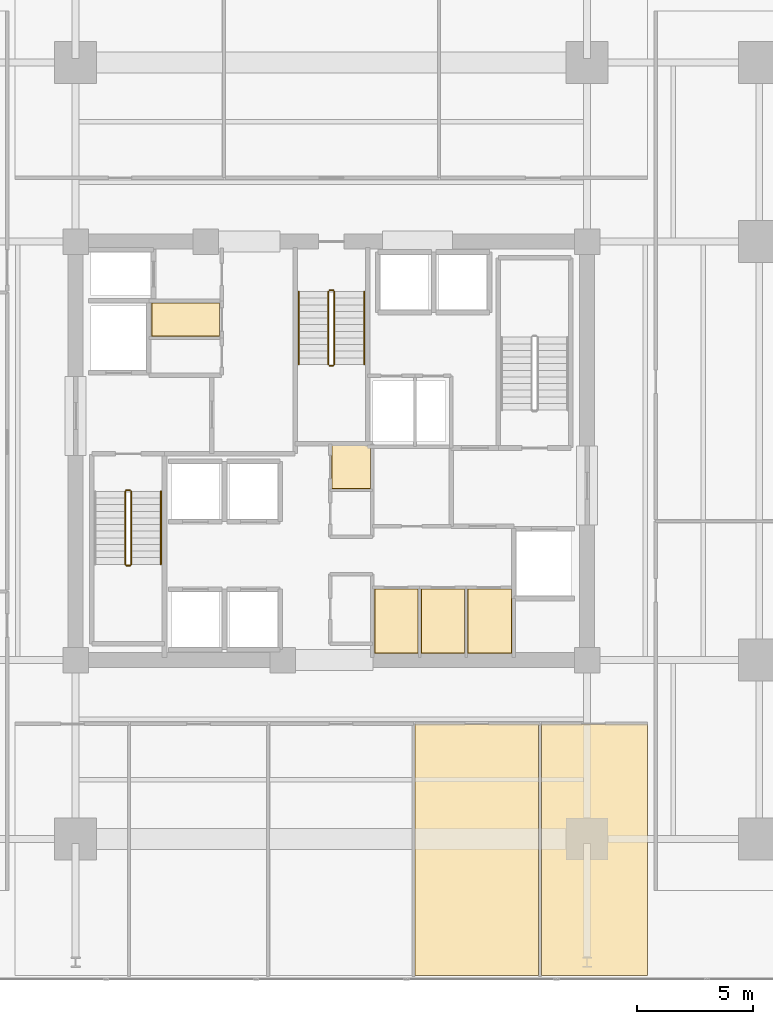
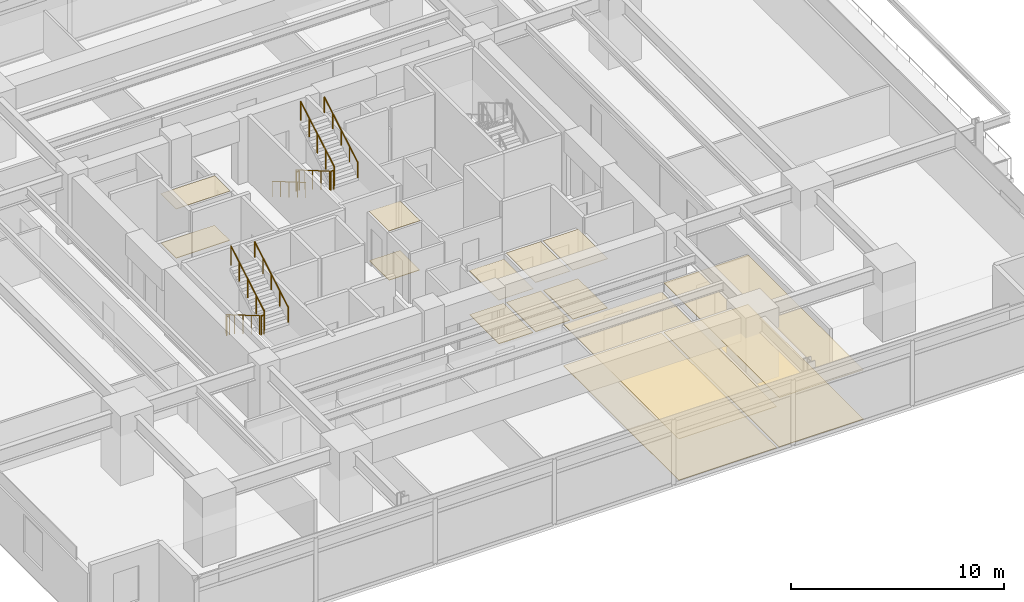
# One storey, part 20 of 22: 14 coverings, 11 railings.
"""IFC4 building model written with IfcOpenShell, lengths in metres."""

from ifc_helpers import new_model, si_unit, direction, frame, origin, origin_2d, place, context, subcontext, project, spatial, polyline, circle, outline, extrude, material, layer, layer_set, type_object, element, save


model = new_model("IFC4")

# Units and contexts
model_context = context("Model", 3, precision=1e-05, world=origin(), true_north=direction((0.0, 1.0)))
body_context = subcontext(model_context, "Body", "Model", "MODEL_VIEW")
ifc_project = project(units=[si_unit("LENGTHUNIT", "METRE"), si_unit("AREAUNIT", "SQUARE_METRE"), si_unit("VOLUMEUNIT", "CUBIC_METRE"), si_unit("PLANEANGLEUNIT", "RADIAN"), si_unit("MASSUNIT", "GRAM", prefix="KILO")], contexts=[model_context])

# Site, building, storey
site_placement = place(None, origin())
site = spatial("IfcSite", under=ifc_project, at=site_placement, CompositionType="ELEMENT")
building_placement = place(site_placement, origin())
building = spatial("IfcBuilding", under=site, at=building_placement, Name="Kovane Verandah Tower", CompositionType="ELEMENT")
storey_placement = place(building_placement, frame((0.0, 0.0, 99.60009765625)))
storey = spatial("IfcBuildingStorey", under=building, at=storey_placement, Name="L23", CompositionType="ELEMENT", Elevation=99.60009765625)

# Coverings
ifc_material_1 = material(Name="Perforated Acoustic Mineral-Fibre Ceiling Tile", Category="gypsum")
ifc_layer_1 = layer(ifc_material_1, 0.02490234375)
ifc_layer_set_1 = layer_set([ifc_layer_1], Name="Perforated Acoustic Mineral-Fibre Ceiling Tile")
covering_type_1 = type_object("IfcCoveringType", Name="CV-CEIL-25", PredefinedType="CEILING", material=ifc_layer_set_1)
covering_1_placement = place(storey_placement, frame((0.0, 0.0, 2.514892578125)))
element("IfcCovering", 1, at=covering_1_placement, inside=storey, type_object=covering_type_1, Name="L23 Mail and Copy Room Acoustic Ceiling", PredefinedType="CEILING", context=body_context, shape_type="SweptSolid", body=[
    extrude(outline(polyline([(41.864990234375, 18.784912109375), (43.735107421875, 18.784912109375), (43.735107421875, 21.56494140625), (41.864990234375, 21.56494140625), (41.864990234375, 18.784912109375)])), origin(), (0.0, 0.0, 1.0), 0.02490234375),
])
covering_2_placement = place(storey_placement, frame((0.0, 0.0, 2.824951171875)))
element("IfcCovering", 2, at=covering_2_placement, inside=storey, type_object=covering_type_1, Name="L23 First Aid Room Acoustic Ceiling", PredefinedType="CEILING", context=body_context, shape_type="SweptSolid", body=[
    extrude(outline(polyline([(43.864990234375, 18.784912109375), (45.735107421875, 18.784912109375), (45.735107421875, 21.56494140625), (43.864990234375, 21.56494140625), (43.864990234375, 18.784912109375)])), origin(), (0.0, 0.0, 1.0), 0.02490234375),
])
covering_3_placement = place(storey_placement, frame((0.0, 0.0, 2.824951171875)))
element("IfcCovering", 3, at=covering_3_placement, inside=storey, type_object=covering_type_1, Name="L23 Quiet Wellness Room Acoustic Ceiling", PredefinedType="CEILING", context=body_context, shape_type="SweptSolid", body=[
    extrude(outline(polyline([(45.864990234375, 18.784912109375), (47.764892578125, 18.784912109375), (47.764892578125, 21.56494140625), (45.864990234375, 21.56494140625), (45.864990234375, 18.784912109375)])), origin(), (0.0, 0.0, 1.0), 0.02490234375),
])
covering_4_placement = place(storey_placement, frame((0.0, 0.0, 2.824951171875)))
element("IfcCovering", 4, at=covering_4_placement, inside=storey, type_object=covering_type_1, Name="L23 North-West First Aid Room Acoustic Ceiling", PredefinedType="CEILING", context=body_context, shape_type="SweptSolid", body=[
    extrude(outline(polyline([(32.264892578125, 32.4150390625), (35.195068359375, 32.4150390625), (35.195068359375, 33.864990234375), (32.264892578125, 33.864990234375), (32.264892578125, 32.4150390625)])), origin(), (0.0, 0.0, 1.0), 0.02490234375),
])
covering_5_placement = place(storey_placement, frame((0.0, 0.0, 2.824951171875)))
element("IfcCovering", 5, at=covering_5_placement, inside=storey, type_object=covering_type_1, Name="L23 Central First Aid and Wellness Room Acoustic Ceiling", PredefinedType="CEILING", context=body_context, shape_type="SweptSolid", body=[
    extrude(outline(polyline([(40.0048828125, 25.864990234375), (41.695068359375, 25.864990234375), (41.695068359375, 27.735107421875), (40.0048828125, 27.735107421875), (40.0048828125, 25.864990234375)])), origin(), (0.0, 0.0, 1.0), 0.02490234375),
])
covering_6_placement = place(storey_placement, frame((0.0, 0.0, 2.364990234375)))
element("IfcCovering", 6, at=covering_6_placement, inside=storey, type_object=covering_type_1, Name="L23 Collaboration Hub S4 Acoustic Ceiling", PredefinedType="CEILING", context=body_context, shape_type="SweptSolid", body=[
    extrude(outline(polyline([(43.60595703125, 4.930908203125), (48.906005859375, 4.930908203125), (48.906005859375, 15.75), (43.60595703125, 15.75), (43.60595703125, 4.930908203125)])), origin(), (0.0, 0.0, 1.0), 0.02490234375),
])
covering_7_placement = place(storey_placement, frame((0.0, 0.0, 2.824951171875)))
element("IfcCovering", 7, at=covering_7_placement, inside=storey, type_object=covering_type_1, Name="L23 Document and Print Room S5 Acoustic Ceiling", PredefinedType="CEILING", context=body_context, shape_type="SweptSolid", body=[
    extrude(outline(polyline([(49.0458984375, 4.930908203125), (53.60009765625, 4.930908203125), (53.60009765625, 15.75), (49.0458984375, 15.75), (49.0458984375, 4.930908203125)])), origin(), (0.0, 0.0, 1.0), 0.02490234375),
])
ifc_material_2 = material(Name="Polished Terrazzo and Raised-Access Carpet Tile Finish", Category="concrete")
ifc_layer_2 = layer(ifc_material_2, 0.030029296875)
ifc_layer_set_2 = layer_set([ifc_layer_2], Name="Polished Terrazzo and Raised-Access Carpet Tile Finish")
covering_type_2 = type_object("IfcCoveringType", Name="CV-FLOR-30", PredefinedType="FLOORING", material=ifc_layer_set_2)
covering_8_placement = place(storey_placement, origin())
element("IfcCovering", 8, at=covering_8_placement, inside=storey, type_object=covering_type_2, Name="L23 Mail and Copy Room Floor Finish", PredefinedType="FLOORING", context=body_context, shape_type="SweptSolid", body=[
    extrude(outline(polyline([(41.8798828125, 18.800048828125), (43.719970703125, 18.800048828125), (43.719970703125, 21.550048828125), (41.8798828125, 21.550048828125), (41.8798828125, 18.800048828125)])), origin(), (0.0, 0.0, 1.0), 0.02978515625),
])
covering_9_placement = place(storey_placement, origin())
element("IfcCovering", 9, at=covering_9_placement, inside=storey, type_object=covering_type_2, Name="L23 First Aid Room Floor Finish", PredefinedType="FLOORING", context=body_context, shape_type="SweptSolid", body=[
    extrude(outline(polyline([(43.8798828125, 18.800048828125), (45.719970703125, 18.800048828125), (45.719970703125, 21.550048828125), (43.8798828125, 21.550048828125), (43.8798828125, 18.800048828125)])), origin(), (0.0, 0.0, 1.0), 0.02978515625),
])
covering_10_placement = place(storey_placement, origin())
element("IfcCovering", 10, at=covering_10_placement, inside=storey, type_object=covering_type_2, Name="L23 Quiet Wellness Room Floor Finish", PredefinedType="FLOORING", context=body_context, shape_type="SweptSolid", body=[
    extrude(outline(polyline([(45.8798828125, 18.800048828125), (47.75, 18.800048828125), (47.75, 21.550048828125), (45.8798828125, 21.550048828125), (45.8798828125, 18.800048828125)])), origin(), (0.0, 0.0, 1.0), 0.02978515625),
])
covering_11_placement = place(storey_placement, origin())
element("IfcCovering", 11, at=covering_11_placement, inside=storey, type_object=covering_type_2, Name="L23 North-West First Aid Room Floor Finish", PredefinedType="FLOORING", context=body_context, shape_type="SweptSolid", body=[
    extrude(outline(polyline([(32.280029296875, 32.429931640625), (35.179931640625, 32.429931640625), (35.179931640625, 33.85009765625), (32.280029296875, 33.85009765625), (32.280029296875, 32.429931640625)])), origin(), (0.0, 0.0, 1.0), 0.02978515625),
])
covering_12_placement = place(storey_placement, origin())
element("IfcCovering", 12, at=covering_12_placement, inside=storey, type_object=covering_type_2, Name="L23 Central First Aid and Wellness Room Floor Finish", PredefinedType="FLOORING", context=body_context, shape_type="SweptSolid", body=[
    extrude(outline(polyline([(40.02001953125, 25.8798828125), (41.679931640625, 25.8798828125), (41.679931640625, 27.719970703125), (40.02001953125, 27.719970703125), (40.02001953125, 25.8798828125)])), origin(), (0.0, 0.0, 1.0), 0.02978515625),
])
covering_13_placement = place(storey_placement, origin())
element("IfcCovering", 13, at=covering_13_placement, inside=storey, type_object=covering_type_2, Name="L23 Collaboration Hub S4 Floor Finish", PredefinedType="FLOORING", context=body_context, shape_type="SweptSolid", body=[
    extrude(outline(polyline([(43.60595703125, 4.930908203125), (48.906005859375, 4.930908203125), (48.906005859375, 15.75), (43.60595703125, 15.75), (43.60595703125, 4.930908203125)])), origin(), (0.0, 0.0, 1.0), 0.02978515625),
])
covering_14_placement = place(storey_placement, origin())
element("IfcCovering", 14, at=covering_14_placement, inside=storey, type_object=covering_type_2, Name="L23 Document and Print Room S5 Floor Finish", PredefinedType="FLOORING", context=body_context, shape_type="SweptSolid", body=[
    extrude(outline(polyline([(49.0458984375, 4.930908203125), (53.60009765625, 4.930908203125), (53.60009765625, 15.75), (49.0458984375, 15.75), (49.0458984375, 4.930908203125)])), origin(), (0.0, 0.0, 1.0), 0.02978515625),
])

# Railings
ifc_material_3 = material(Name="Brushed Stainless Steel Handrail", Category="steel")
railing_type_1 = type_object("IfcRailingType", Name="RL-HAND-920", PredefinedType="HANDRAIL", material=ifc_material_3)
railing_1_placement = place(storey_placement, frame((32.669921875, 22.614990234375, 2.16650390625)))
element("IfcRailing", 15, at=railing_1_placement, inside=storey, type_object=railing_type_1, Name="L23 ST-01 stair handrail 2", PredefinedType="HANDRAIL", context=body_context, shape_type="SweptSolid", body=[
    extrude(circle(Radius=0.02392578125, at=origin_2d()), frame((0.0, 0.0, 0.8759765625), z_axis=(0.0, 0.863210265497, 0.504844567704), x_axis=(-1.0, 0.0, 0.0)), (0.0, 0.0, 1.0), 3.6318359375),
    extrude(circle(Radius=0.02099609375, at=origin_2d()), origin(), (0.0, 0.0, 1.0), 0.851806640625),
    extrude(circle(Radius=0.02099609375, at=origin_2d()), frame((0.0, 0.78369140625, 0.45849609375)), (0.0, 0.0, 1.0), 0.851806640625),
    extrude(circle(Radius=0.02099609375, at=origin_2d()), frame((0.0, 1.5673828125, 0.916748046875)), (0.0, 0.0, 1.0), 0.851806640625),
    extrude(circle(Radius=0.02099609375, at=origin_2d()), frame((0.0, 2.351318359375, 1.375)), (0.0, 0.0, 1.0), 0.851806640625),
    extrude(circle(Radius=0.02099609375, at=origin_2d()), frame((0.0, 3.135009765625, 1.83349609375)), (0.0, 0.0, 1.0), 0.851806640625),
])
railing_2_placement = place(storey_placement, frame((38.590087890625, 34.35009765625, 0.16650390625)))
element("IfcRailing", 16, at=railing_2_placement, inside=storey, type_object=railing_type_1, Name="L23 ST-03 stair handrail 1", PredefinedType="HANDRAIL", context=body_context, shape_type="SweptSolid", body=[
    extrude(circle(Radius=0.02392578125, at=origin_2d()), frame((0.0, 0.0, 0.8759765625), z_axis=(0.0, -0.863210265497, 0.504844567704), x_axis=(1.0, 0.0, 0.0)), (0.0, 0.0, 1.0), 3.6318359375),
    extrude(circle(Radius=0.02099609375, at=origin_2d()), origin(), (0.0, 0.0, 1.0), 0.851806640625),
    extrude(circle(Radius=0.02099609375, at=origin_2d()), frame((0.0, -0.78369140625, 0.45849609375)), (0.0, 0.0, 1.0), 0.851806640625),
    extrude(circle(Radius=0.02099609375, at=origin_2d()), frame((0.0, -1.5673828125, 0.916748046875)), (0.0, 0.0, 1.0), 0.851806640625),
    extrude(circle(Radius=0.02099609375, at=origin_2d()), frame((0.0, -2.351318359375, 1.375)), (0.0, 0.0, 1.0), 0.851806640625),
    extrude(circle(Radius=0.02099609375, at=origin_2d()), frame((0.0, -3.135009765625, 1.83349609375)), (0.0, 0.0, 1.0), 0.851806640625),
])
railing_3_placement = place(storey_placement, frame((41.409912109375, 31.215087890625, 2.16650390625)))
element("IfcRailing", 17, at=railing_3_placement, inside=storey, type_object=railing_type_1, Name="L23 ST-03 stair handrail 2", PredefinedType="HANDRAIL", context=body_context, shape_type="SweptSolid", body=[
    extrude(circle(Radius=0.02392578125, at=origin_2d()), frame((0.0, 0.0, 0.8759765625), z_axis=(0.0, 0.863210265497, 0.504844567704), x_axis=(-1.0, 0.0, 0.0)), (0.0, 0.0, 1.0), 3.6318359375),
    extrude(circle(Radius=0.02099609375, at=origin_2d()), origin(), (0.0, 0.0, 1.0), 0.851806640625),
    extrude(circle(Radius=0.02099609375, at=origin_2d()), frame((0.0, 0.78369140625, 0.45849609375)), (0.0, 0.0, 1.0), 0.851806640625),
    extrude(circle(Radius=0.02099609375, at=origin_2d()), frame((0.0, 1.5673828125, 0.916748046875)), (0.0, 0.0, 1.0), 0.851806640625),
    extrude(circle(Radius=0.02099609375, at=origin_2d()), frame((0.0, 2.351318359375, 1.375)), (0.0, 0.0, 1.0), 0.851806640625),
    extrude(circle(Radius=0.02099609375, at=origin_2d()), frame((0.0, 3.135009765625, 1.83349609375)), (0.0, 0.0, 1.0), 0.851806640625),
])
ifc_material_4 = material(Name="Painted Steel Stairwell Guardrail", Category="steel")
railing_type_2 = type_object("IfcRailingType", Name="RL-STGUARD-1120", PredefinedType="GUARDRAIL", material=ifc_material_4)
railing_4_placement = place(storey_placement, frame((31.1298828125, 25.75, 0.16650390625)))
element("IfcRailing", 18, at=railing_4_placement, inside=storey, type_object=railing_type_2, Name="L23 ST-01 stair guard 1", PredefinedType="GUARDRAIL", context=body_context, shape_type="SweptSolid", body=[
    extrude(circle(Radius=0.02392578125, at=origin_2d()), frame((0.0, 0.0, 1.076171875), z_axis=(0.0, -0.863210265497, 0.504844567704), x_axis=(1.0, 0.0, 0.0)), (0.0, 0.0, 1.0), 3.6318359375),
    extrude(circle(Radius=0.02099609375, at=origin_2d()), origin(), (0.0, 0.0, 1.0), 1.052001953125),
    extrude(circle(Radius=0.02099609375, at=origin_2d()), frame((0.0, -0.78369140625, 0.45849609375)), (0.0, 0.0, 1.0), 1.052001953125),
    extrude(circle(Radius=0.02099609375, at=origin_2d()), frame((0.0, -1.5673828125, 0.916748046875)), (0.0, 0.0, 1.0), 1.052001953125),
    extrude(circle(Radius=0.02099609375, at=origin_2d()), frame((0.0, -2.351318359375, 1.375)), (0.0, 0.0, 1.0), 1.052001953125),
    extrude(circle(Radius=0.02099609375, at=origin_2d()), frame((0.0, -3.135009765625, 1.83349609375)), (0.0, 0.0, 1.0), 1.052001953125),
])
railing_5_placement = place(storey_placement, frame((31.179931640625, 22.56494140625, 2.0)))
element("IfcRailing", 19, at=railing_5_placement, inside=storey, type_object=railing_type_2, Name="L23 ST-01 stair guard 2", PredefinedType="GUARDRAIL", context=body_context, shape_type="SweptSolid", body=[
    extrude(circle(Radius=0.02392578125, at=origin_2d()), frame((0.0, 0.0, 1.076171875), z_axis=(1.0, 0.0, 0.0), x_axis=(0.0, 1.0, 0.0)), (0.0, 0.0, 1.0), 0.16015625),
    extrude(circle(Radius=0.02099609375, at=origin_2d()), origin(), (0.0, 0.0, 1.0), 1.052001953125),
    extrude(circle(Radius=0.02099609375, at=origin_2d()), frame((0.16015625, 0.0, 0.0)), (0.0, 0.0, 1.0), 1.052001953125),
])
railing_6_placement = place(storey_placement, frame((31.389892578125, 22.614990234375, 2.16650390625)))
element("IfcRailing", 20, at=railing_6_placement, inside=storey, type_object=railing_type_2, Name="L23 ST-01 stair guard 3", PredefinedType="GUARDRAIL", context=body_context, shape_type="SweptSolid", body=[
    extrude(circle(Radius=0.02392578125, at=origin_2d()), frame((0.0, 0.0, 1.076171875), z_axis=(0.0, 0.863210265497, 0.504844567704), x_axis=(-1.0, 0.0, 0.0)), (0.0, 0.0, 1.0), 3.6318359375),
    extrude(circle(Radius=0.02099609375, at=origin_2d()), origin(), (0.0, 0.0, 1.0), 1.052001953125),
    extrude(circle(Radius=0.02099609375, at=origin_2d()), frame((0.0, 0.78369140625, 0.45849609375)), (0.0, 0.0, 1.0), 1.052001953125),
    extrude(circle(Radius=0.02099609375, at=origin_2d()), frame((0.0, 1.5673828125, 0.916748046875)), (0.0, 0.0, 1.0), 1.052001953125),
    extrude(circle(Radius=0.02099609375, at=origin_2d()), frame((0.0, 2.351318359375, 1.375)), (0.0, 0.0, 1.0), 1.052001953125),
    extrude(circle(Radius=0.02099609375, at=origin_2d()), frame((0.0, 3.135009765625, 1.83349609375)), (0.0, 0.0, 1.0), 1.052001953125),
])
railing_7_placement = place(storey_placement, frame((31.179931640625, 25.800048828125, 0.0)))
element("IfcRailing", 21, at=railing_7_placement, inside=storey, type_object=railing_type_2, Name="L23 ST-01 stair guard 4", PredefinedType="GUARDRAIL", context=body_context, shape_type="SweptSolid", body=[
    extrude(circle(Radius=0.02392578125, at=origin_2d()), frame((0.0, 0.0, 1.076171875), z_axis=(1.0, 0.0, 0.0), x_axis=(0.0, 1.0, 0.0)), (0.0, 0.0, 1.0), 0.16015625),
    extrude(circle(Radius=0.02099609375, at=origin_2d()), origin(), (0.0, 0.0, 1.0), 1.052001953125),
    extrude(circle(Radius=0.02099609375, at=origin_2d()), frame((0.16015625, 0.0, 0.0)), (0.0, 0.0, 1.0), 1.052001953125),
])
railing_8_placement = place(storey_placement, frame((39.8701171875, 34.35009765625, 0.16650390625)))
element("IfcRailing", 22, at=railing_8_placement, inside=storey, type_object=railing_type_2, Name="L23 ST-03 stair guard 1", PredefinedType="GUARDRAIL", context=body_context, shape_type="SweptSolid", body=[
    extrude(circle(Radius=0.02392578125, at=origin_2d()), frame((0.0, 0.0, 1.076171875), z_axis=(0.0, -0.863210265497, 0.504844567704), x_axis=(1.0, 0.0, 0.0)), (0.0, 0.0, 1.0), 3.6318359375),
    extrude(circle(Radius=0.02099609375, at=origin_2d()), origin(), (0.0, 0.0, 1.0), 1.052001953125),
    extrude(circle(Radius=0.02099609375, at=origin_2d()), frame((0.0, -0.78369140625, 0.45849609375)), (0.0, 0.0, 1.0), 1.052001953125),
    extrude(circle(Radius=0.02099609375, at=origin_2d()), frame((0.0, -1.5673828125, 0.916748046875)), (0.0, 0.0, 1.0), 1.052001953125),
    extrude(circle(Radius=0.02099609375, at=origin_2d()), frame((0.0, -2.351318359375, 1.375)), (0.0, 0.0, 1.0), 1.052001953125),
    extrude(circle(Radius=0.02099609375, at=origin_2d()), frame((0.0, -3.135009765625, 1.83349609375)), (0.0, 0.0, 1.0), 1.052001953125),
])
railing_9_placement = place(storey_placement, frame((39.919921875, 31.1650390625, 2.0)))
element("IfcRailing", 23, at=railing_9_placement, inside=storey, type_object=railing_type_2, Name="L23 ST-03 stair guard 2", PredefinedType="GUARDRAIL", context=body_context, shape_type="SweptSolid", body=[
    extrude(circle(Radius=0.02392578125, at=origin_2d()), frame((0.0, 0.0, 1.076171875), z_axis=(1.0, 0.0, 0.0), x_axis=(0.0, 1.0, 0.0)), (0.0, 0.0, 1.0), 0.16015625),
    extrude(circle(Radius=0.02099609375, at=origin_2d()), origin(), (0.0, 0.0, 1.0), 1.052001953125),
    extrude(circle(Radius=0.02099609375, at=origin_2d()), frame((0.16015625, 0.0, 0.0)), (0.0, 0.0, 1.0), 1.052001953125),
])
railing_10_placement = place(storey_placement, frame((40.1298828125, 31.215087890625, 2.16650390625)))
element("IfcRailing", 24, at=railing_10_placement, inside=storey, type_object=railing_type_2, Name="L23 ST-03 stair guard 3", PredefinedType="GUARDRAIL", context=body_context, shape_type="SweptSolid", body=[
    extrude(circle(Radius=0.02392578125, at=origin_2d()), frame((0.0, 0.0, 1.076171875), z_axis=(0.0, 0.863210265497, 0.504844567704), x_axis=(-1.0, 0.0, 0.0)), (0.0, 0.0, 1.0), 3.6318359375),
    extrude(circle(Radius=0.02099609375, at=origin_2d()), origin(), (0.0, 0.0, 1.0), 1.052001953125),
    extrude(circle(Radius=0.02099609375, at=origin_2d()), frame((0.0, 0.78369140625, 0.45849609375)), (0.0, 0.0, 1.0), 1.052001953125),
    extrude(circle(Radius=0.02099609375, at=origin_2d()), frame((0.0, 1.5673828125, 0.916748046875)), (0.0, 0.0, 1.0), 1.052001953125),
    extrude(circle(Radius=0.02099609375, at=origin_2d()), frame((0.0, 2.351318359375, 1.375)), (0.0, 0.0, 1.0), 1.052001953125),
    extrude(circle(Radius=0.02099609375, at=origin_2d()), frame((0.0, 3.135009765625, 1.83349609375)), (0.0, 0.0, 1.0), 1.052001953125),
])
railing_11_placement = place(storey_placement, frame((39.919921875, 34.39990234375, 0.0)))
element("IfcRailing", 25, at=railing_11_placement, inside=storey, type_object=railing_type_2, Name="L23 ST-03 stair guard 4", PredefinedType="GUARDRAIL", context=body_context, shape_type="SweptSolid", body=[
    extrude(circle(Radius=0.02392578125, at=origin_2d()), frame((0.0, 0.0, 1.076171875), z_axis=(1.0, 0.0, 0.0), x_axis=(0.0, 1.0, 0.0)), (0.0, 0.0, 1.0), 0.16015625),
    extrude(circle(Radius=0.02099609375, at=origin_2d()), origin(), (0.0, 0.0, 1.0), 1.052001953125),
    extrude(circle(Radius=0.02099609375, at=origin_2d()), frame((0.16015625, 0.0, 0.0)), (0.0, 0.0, 1.0), 1.052001953125),
])

save(model, "model.ifc")
